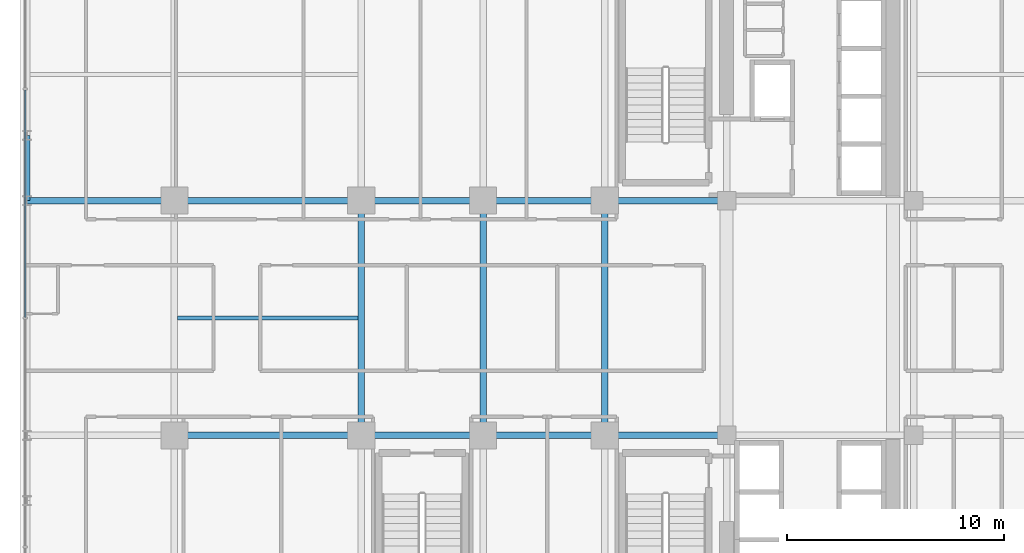
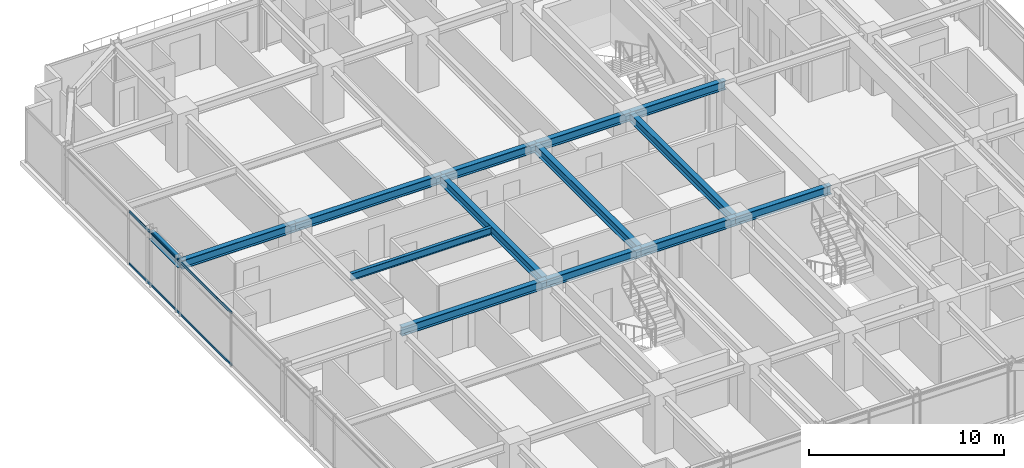
# One storey, part 9 of 34: 14 beams, 2 members, 1 element without a shape of its own.
"""IFC4 building model written with IfcOpenShell, lengths in metres."""

import ifcopenshell
import ifcopenshell.guid

model = None  # the IFC model being written
_history = None  # IfcOwnerHistory: only IFC2X3 demands one
_inside = {}  # id of a spatial element -> (the spatial element, [elements in it])
_under = {}  # id of a project, library or spatial element -> (it, [spatial elements below it])
_declared = {}  # id of a project -> (the project, [libraries it declares])
_typed = {}  # id of a type object -> (the type object, [elements of that type])
_made_of = {}  # id of a material, layer set ... -> (it, [elements and type objects made of it])


def new_model(schema):
    """Start an empty IFC model of exactly this schema.

    Asked for "IFC4X3", IfcOpenShell would pick the latest addendum, in which some entities
    have other attributes; the version numbers below select the first issue.
    IFC2X3 requires an IfcOwnerHistory on every rooted entity: one is made here for all.
    """
    global model, _history
    if schema == "IFC4X3":
        model = ifcopenshell.file(schema_version=(4, 3, 0, 0))
    else:
        model = ifcopenshell.file(schema=schema)
    _inside.clear()
    _under.clear()
    _declared.clear()
    _typed.clear()
    _made_of.clear()
    _history = None
    if model.schema == "IFC2X3":
        org = make("IfcOrganization", Name="unknown")
        user = make(
            "IfcPersonAndOrganization",
            ThePerson=make("IfcPerson", FamilyName="unknown"),
            TheOrganization=org,
        )
        app = make(
            "IfcApplication",
            ApplicationDeveloper=org,
            Version="unknown",
            ApplicationFullName="unknown",
            ApplicationIdentifier="unknown",
        )
        _history = make(
            "IfcOwnerHistory",
            OwningUser=user,
            OwningApplication=app,
            ChangeAction="ADDED",
            CreationDate=0,
        )
    return model


def make(cls, **values):
    """One entity of the class cls with the attributes given. An attribute that is None is left unset."""
    return model.create_entity(
        cls, **{name: value for name, value in values.items() if value is not None}
    )


def rooted(cls, **values):
    """An entity with a GlobalId (a new one), such as an element, a storey or a relation."""
    return make(cls, GlobalId=ifcopenshell.guid.new(), OwnerHistory=_history, **values)


def si_unit(unit_type, name, prefix=None):
    """IfcSIUnit, for example si_unit("LENGTHUNIT", "METRE", prefix="MILLI")."""
    return make("IfcSIUnit", UnitType=unit_type, Prefix=prefix, Name=name)


def assignment(units):
    """IfcUnitAssignment: the units of a project."""
    return None if units is None else make("IfcUnitAssignment", Units=units)


def point(xyz):
    """IfcCartesianPoint."""
    return None if xyz is None else make("IfcCartesianPoint", Coordinates=xyz)


def direction(xyz):
    """IfcDirection."""
    return None if xyz is None else make("IfcDirection", DirectionRatios=xyz)


def frame(location, z_axis=None, x_axis=None):
    """IfcAxis2Placement3D, a coordinate frame: its origin and axes. An axis left out is left unset."""
    return make(
        "IfcAxis2Placement3D",
        Location=point(location),
        Axis=direction(z_axis),
        RefDirection=direction(x_axis),
    )


def frame_2d(location, x_axis=None):
    """IfcAxis2Placement2D, a coordinate frame in the plane: its origin and x axis."""
    return make(
        "IfcAxis2Placement2D", Location=point(location), RefDirection=direction(x_axis)
    )


def origin():
    """The frame at (0, 0, 0) with its axes left unset."""
    return frame((0.0, 0.0, 0.0))


def origin_2d():
    """The frame at (0, 0) in the plane with its x axis left unset."""
    return frame_2d((0.0, 0.0))


def place(relative_to, where):
    """IfcLocalPlacement: puts the frame where relative to a parent placement (None: the world)."""
    return make(
        "IfcLocalPlacement", PlacementRelTo=relative_to, RelativePlacement=where
    )


def context(
    kind, dimensions, precision=None, world=None, true_north=None, identifier=None
):
    """IfcGeometricRepresentationContext, for example the 3D "Model" context."""
    return make(
        "IfcGeometricRepresentationContext",
        ContextIdentifier=identifier,
        ContextType=kind,
        CoordinateSpaceDimension=dimensions,
        Precision=precision,
        WorldCoordinateSystem=world,
        TrueNorth=true_north,
    )


def subcontext(parent, identifier, kind, view, scale=None):
    """IfcGeometricRepresentationSubContext, for example "Body" below "Model"."""
    return make(
        "IfcGeometricRepresentationSubContext",
        ContextIdentifier=identifier,
        ContextType=kind,
        ParentContext=parent,
        TargetScale=scale,
        TargetView=view,
    )


def project(units=None, contexts=None):
    """IfcProject with its units and contexts."""
    return rooted(
        "IfcProject",
        Name="project",
        RepresentationContexts=contexts,
        UnitsInContext=assignment(units),
    )


def spatial(cls, under=None, at=None, **own):
    """A site, building, storey or space (cls), placed at a placement, below another one or the project."""
    s = rooted(cls, ObjectPlacement=at, **own)
    if under is not None:
        _under.setdefault(under.id(), (under, []))[1].append(s)
    return s


def profile(cls, at=None, kind="AREA", **sizes):
    """A parametric profile (cls). Its sizes go by their IFC names, for example OverallWidth=200.0."""
    return make(cls, ProfileType=kind, Position=at, **sizes)


def hollow_rectangle(**sizes):
    """IfcRectangleHollowProfileDef."""
    return profile("IfcRectangleHollowProfileDef", **sizes)


def i_section(**sizes):
    """IfcIShapeProfileDef."""
    return profile("IfcIShapeProfileDef", **sizes)


def extrude(swept, where, along, depth):
    """IfcExtrudedAreaSolid: the profile swept, set in the frame where, extruded along a direction by depth."""
    return make(
        "IfcExtrudedAreaSolid",
        SweptArea=swept,
        Position=where,
        ExtrudedDirection=direction(along),
        Depth=depth,
    )


def shape(context_of_items, identifier, shape_type, items):
    """IfcShapeRepresentation: the items that make up one representation, for example the "Body"."""
    return make(
        "IfcShapeRepresentation",
        ContextOfItems=context_of_items,
        RepresentationIdentifier=identifier,
        RepresentationType=shape_type,
        Items=items,
    )


def source(mapping_origin, context_of_items, identifier, shape_type, items):
    """IfcRepresentationMap: a shape defined once, which mapped items show again and again."""
    return make(
        "IfcRepresentationMap",
        MappingOrigin=mapping_origin,
        MappedRepresentation=shape(context_of_items, identifier, shape_type, items),
    )


def transform(
    local_origin,
    x_axis=None,
    y_axis=None,
    z_axis=None,
    scale=None,
    scale2=None,
    scale3=None,
    uniform=True,
):
    """IfcCartesianTransformationOperator3D, or its non-uniform kind. x_axis, y_axis, z_axis: its Axis1, 2, 3."""
    if uniform:
        return make(
            "IfcCartesianTransformationOperator3D",
            Axis1=direction(x_axis),
            Axis2=direction(y_axis),
            LocalOrigin=point(local_origin),
            Scale=scale,
            Axis3=direction(z_axis),
        )
    return make(
        "IfcCartesianTransformationOperator3DnonUniform",
        Axis1=direction(x_axis),
        Axis2=direction(y_axis),
        LocalOrigin=point(local_origin),
        Scale=scale,
        Axis3=direction(z_axis),
        Scale2=scale2,
        Scale3=scale3,
    )


def mapped(mapping_source, mapping_target):
    """IfcMappedItem: shows the shape of a source again, moved by a transform."""
    return make(
        "IfcMappedItem", MappingSource=mapping_source, MappingTarget=mapping_target
    )


def material(Name=None, Category=None):
    """IfcMaterial."""
    return make("IfcMaterial", Name=Name, Category=Category)


def material_profile(
    of_material, cross_section, Name=None, Category=None, Priority=None
):
    """IfcMaterialProfile: a cross section and its material."""
    return make(
        "IfcMaterialProfile",
        Name=Name,
        Material=of_material,
        Profile=cross_section,
        Priority=Priority,
        Category=Category,
    )


def profile_set(profiles, Name=None, composite=None):
    """IfcMaterialProfileSet."""
    return make(
        "IfcMaterialProfileSet",
        Name=Name,
        MaterialProfiles=profiles,
        CompositeProfile=composite,
    )


def made_of(thing, what):
    """Note that an element or type object is made of a material, layer set ...; save() writes the relation."""
    if what is not None:
        _made_of.setdefault(what.id(), (what, []))[1].append(thing)
    return thing


def type_object(cls, material=None, **own):
    """A type object (cls), such as IfcWallType, which elements share."""
    return made_of(rooted(cls, **own), material)


def element(
    cls,
    number,
    at=None,
    inside=None,
    cuts=None,
    type_object=None,
    material=None,
    context=None,
    identifier="Body",
    shape_type=None,
    held_by="IfcProductDefinitionShape",
    body=None,
    shapes=None,
    **own,
):
    """One element of the class cls, such as IfcWall. Its Tag is "e" and its number.

    at: its placement. inside: the storey or other place that contains it. cuts: it is an
    opening in that element (IfcRelVoidsElement). A single representation is given by context,
    identifier, shape_type and body (its items); several are given by shapes. held_by: the class
    of the entity that holds the representations. save() writes the other relations.
    """
    e = rooted(cls, Tag="e%d" % number, ObjectPlacement=at, **own)
    if body is not None:
        shapes = [shape(context, identifier, shape_type, body)]
    if shapes is not None:
        e.Representation = make(held_by, Representations=shapes)
    if inside is not None:
        _inside.setdefault(inside.id(), (inside, []))[1].append(e)
    if cuts is not None:
        rooted(
            "IfcRelVoidsElement", RelatingBuildingElement=cuts, RelatedOpeningElement=e
        )
    if type_object is not None:
        _typed.setdefault(type_object.id(), (type_object, []))[1].append(e)
    return made_of(e, material)


def aggregate(whole, parts):
    """IfcRelAggregates: a whole, such as a stair, and the parts it consists of."""
    return rooted("IfcRelAggregates", RelatingObject=whole, RelatedObjects=parts)


def save(model, path):
    """Write the relations noted so far, then the file.

    IfcRelAggregates (storeys below a building ...), IfcRelContainedInSpatialStructure (elements
    in a storey), IfcRelDefinesByType, IfcRelAssociatesMaterial and IfcRelDeclares: one each for
    every whole, place, type object, material and project.
    """
    for whole, parts in _under.values():
        aggregate(whole, parts)
    for where, things in _inside.values():
        rooted(
            "IfcRelContainedInSpatialStructure",
            RelatedElements=things,
            RelatingStructure=where,
        )
    for kind, things in _typed.values():
        rooted("IfcRelDefinesByType", RelatedObjects=things, RelatingType=kind)
    for what, things in _made_of.values():
        rooted("IfcRelAssociatesMaterial", RelatedObjects=things, RelatingMaterial=what)
    for by, libraries in _declared.values():
        rooted("IfcRelDeclares", RelatingContext=by, RelatedDefinitions=libraries)
    model.write(path)


model = new_model("IFC4")

# Units and contexts
model_context = context("Model", 3, precision=1e-05, world=origin(), true_north=direction((0.0, 1.0)))
body_context = subcontext(model_context, "Body", "Model", "MODEL_VIEW")
ifc_project = project(units=[si_unit("LENGTHUNIT", "METRE"), si_unit("AREAUNIT", "SQUARE_METRE"), si_unit("VOLUMEUNIT", "CUBIC_METRE"), si_unit("PLANEANGLEUNIT", "RADIAN"), si_unit("MASSUNIT", "GRAM", prefix="KILO")], contexts=[model_context])

# Site, building, storey
site_placement = place(None, origin())
site = spatial("IfcSite", under=ifc_project, at=site_placement, CompositionType="ELEMENT")
building_placement = place(site_placement, origin())
building = spatial("IfcBuilding", under=site, at=building_placement, Name="Nahalor Promenade Grand Hotel", CompositionType="ELEMENT")
storey_placement = place(building_placement, frame((0.0, 0.0, 99.25)))
storey = spatial("IfcBuildingStorey", under=building, at=storey_placement, Name="L24", CompositionType="ELEMENT", Elevation=99.25)

# Beams
ifc_material_1 = material(Name="Steel S355JR", Category="steel")
ifc_material_profile_1 = material_profile(ifc_material_1, i_section(OverallWidth=0.3, OverallDepth=0.5, WebThickness=0.0145, FlangeThickness=0.028, at=origin_2d()), Name="HEB 500")
ifc_profile_set_1 = profile_set([ifc_material_profile_1], Name="Steel S355JR")
beam_type_1 = type_object("IfcBeamType", Name="Beam-Spandrel-HEB500", PredefinedType="SPANDREL", material=ifc_profile_set_1)
shared_shape_1 = source(origin(), body_context, "Body", "SweptSolid", [
    extrude(i_section(OverallWidth=0.3, OverallDepth=0.5, WebThickness=0.0145, FlangeThickness=0.028, at=origin_2d()), origin(), (0.0, 0.0, 1.0), 3.0),
])
beam_1_placement = place(storey_placement, frame((-23.780029296875, 5.39990234375, 3.1298828125), z_axis=(0.0, 1.0, 0.0), x_axis=(-1.0, 0.0, 0.0)))
element("IfcBeam", 1, at=beam_1_placement, inside=storey, type_object=beam_type_1, Name="BM-L24-SP-W-3", PredefinedType="SPANDREL", context=body_context, shape_type="MappedRepresentation", body=[
    mapped(shared_shape_1, transform((0.0, 0.0, 0.0), scale=1.0)),
])
ifc_material_profile_2 = material_profile(ifc_material_1, i_section(OverallWidth=0.3, OverallDepth=0.55, WebThickness=0.015, FlangeThickness=0.029, at=origin_2d()), Name="HEB 550")
ifc_profile_set_2 = profile_set([ifc_material_profile_2], Name="Steel S355JR")
beam_type_2 = type_object("IfcBeamType", Name="Beam-Girder-HEB550", PredefinedType="BEAM", material=ifc_profile_set_2)
shared_shape_2 = source(origin(), body_context, "Body", "SweptSolid", [
    extrude(i_section(OverallWidth=0.3, OverallDepth=0.55, WebThickness=0.015, FlangeThickness=0.029, at=origin_2d()), origin(), (0.0, 0.0, 1.0), 6.780029296875),
])
beam_2_placement = place(storey_placement, frame((-23.780029296875, 5.39990234375, 3.10498046875), z_axis=(1.0, 0.0, 0.0), x_axis=(0.0, 1.0, 0.0)))
element("IfcBeam", 2, at=beam_2_placement, inside=storey, type_object=beam_type_2, Name="BM-L24-GX-2-0", PredefinedType="BEAM", context=body_context, shape_type="MappedRepresentation", body=[
    mapped(shared_shape_2, transform((0.0, 0.0, 0.0), scale=1.0)),
])
shared_shape_3 = source(origin(), body_context, "Body", "SweptSolid", [
    extrude(i_section(OverallWidth=0.3, OverallDepth=0.55, WebThickness=0.015, FlangeThickness=0.029, at=origin_2d()), origin(), (0.0, 0.0, 1.0), 8.60009765625),
])
for number, where, z_axis, x_axis, name in (
    (3, (-17.0, -5.39990234375, 3.10498046875), (1.0, 0.0, 0.0), (0.0, 1.0, 0.0), "BM-L24-GX-1-1"),
    (4, (-17.0, 5.39990234375, 3.10498046875), (1.0, 0.0, 0.0), (0.0, 1.0, 0.0), "BM-L24-GX-2-1"),
):
    element("IfcBeam", number, at=place(storey_placement, frame(where, z_axis=z_axis, x_axis=x_axis)), inside=storey, type_object=beam_type_2, Name=name, PredefinedType="BEAM", context=body_context, shape_type="MappedRepresentation", body=[
        mapped(shared_shape_3, transform((0.0, 0.0, 0.0), scale=1.0)),
    ])
shared_shape_4 = source(origin(), body_context, "Body", "SweptSolid", [
    extrude(i_section(OverallWidth=0.3, OverallDepth=0.55, WebThickness=0.015, FlangeThickness=0.029, at=origin_2d()), origin(), (0.0, 0.0, 1.0), 5.599853515625),
])
for number, where, z_axis, x_axis, name in (
    (5, (-8.39990234375, -5.39990234375, 3.10498046875), (1.0, 0.0, 0.0), (0.0, 1.0, 0.0), "BM-L24-GX-1-2"),
    (6, (2.800048828125, -5.39990234375, 3.10498046875), (1.0, 0.0, 0.0), (0.0, 1.0, 0.0), "BM-L24-GX-1-4"),
    (7, (-8.39990234375, 5.39990234375, 3.10498046875), (1.0, 0.0, 0.0), (0.0, 1.0, 0.0), "BM-L24-GX-2-2"),
    (8, (2.800048828125, 5.39990234375, 3.10498046875), (1.0, 0.0, 0.0), (0.0, 1.0, 0.0), "BM-L24-GX-2-4"),
):
    element("IfcBeam", number, at=place(storey_placement, frame(where, z_axis=z_axis, x_axis=x_axis)), inside=storey, type_object=beam_type_2, Name=name, PredefinedType="BEAM", context=body_context, shape_type="MappedRepresentation", body=[
        mapped(shared_shape_4, transform((0.0, 0.0, 0.0), scale=1.0)),
    ])
shared_shape_5 = source(origin(), body_context, "Body", "SweptSolid", [
    extrude(i_section(OverallWidth=0.3, OverallDepth=0.55, WebThickness=0.015, FlangeThickness=0.029, at=origin_2d()), origin(), (0.0, 0.0, 1.0), 5.60009765625),
])
for number, where, z_axis, x_axis, name in (
    (9, (-2.800048828125, -5.39990234375, 3.10498046875), (1.0, 0.0, 0.0), (0.0, 1.0, 0.0), "BM-L24-GX-1-3"),
    (10, (-2.800048828125, 5.39990234375, 3.10498046875), (1.0, 0.0, 0.0), (0.0, 1.0, 0.0), "BM-L24-GX-2-3"),
):
    element("IfcBeam", number, at=place(storey_placement, frame(where, z_axis=z_axis, x_axis=x_axis)), inside=storey, type_object=beam_type_2, Name=name, PredefinedType="BEAM", context=body_context, shape_type="MappedRepresentation", body=[
        mapped(shared_shape_5, transform((0.0, 0.0, 0.0), scale=1.0)),
    ])
shared_shape_6 = source(origin(), body_context, "Body", "SweptSolid", [
    extrude(i_section(OverallWidth=0.3, OverallDepth=0.55, WebThickness=0.015, FlangeThickness=0.029, at=origin_2d()), origin(), (0.0, 0.0, 1.0), 10.7998046875),
])
for number, where, z_axis, x_axis, name in (
    (11, (-8.39990234375, -5.39990234375, 3.10498046875), (0.0, 1.0, 0.0), (-1.0, 0.0, 0.0), "BM-L24-GY-1-2"),
    (12, (-2.800048828125, -5.39990234375, 3.10498046875), (0.0, 1.0, 0.0), (-1.0, 0.0, 0.0), "BM-L24-GY-2-2"),
    (13, (2.800048828125, -5.39990234375, 3.10498046875), (0.0, 1.0, 0.0), (-1.0, 0.0, 0.0), "BM-L24-GY-3-2"),
):
    element("IfcBeam", number, at=place(storey_placement, frame(where, z_axis=z_axis, x_axis=x_axis)), inside=storey, type_object=beam_type_2, Name=name, PredefinedType="BEAM", context=body_context, shape_type="MappedRepresentation", body=[
        mapped(shared_shape_6, transform((0.0, 0.0, 0.0), scale=1.0)),
    ])
ifc_material_profile_3 = material_profile(ifc_material_1, i_section(OverallWidth=0.19, OverallDepth=0.45, WebThickness=0.0094, FlangeThickness=0.0146, at=origin_2d()), Name="IPE 450")
ifc_profile_set_3 = profile_set([ifc_material_profile_3], Name="Steel S355JR")
beam_type_3 = type_object("IfcBeamType", Name="Beam-Joist-IPE450", PredefinedType="JOIST", material=ifc_profile_set_3)
shared_shape_7 = source(origin(), body_context, "Body", "SweptSolid", [
    extrude(i_section(OverallWidth=0.19, OverallDepth=0.45, WebThickness=0.0094, FlangeThickness=0.0146, at=origin_2d()), origin(), (0.0, 0.0, 1.0), 8.300048828125),
])
beam_3_placement = place(storey_placement, frame((-16.85009765625, 0.0, 3.155029296875), z_axis=(1.0, 0.0, 0.0), x_axis=(0.0, 1.0, 0.0)))
element("IfcBeam", 14, at=beam_3_placement, inside=storey, type_object=beam_type_3, Name="BM-L24-JSC-0", PredefinedType="JOIST", context=body_context, shape_type="MappedRepresentation", body=[
    mapped(shared_shape_7, transform((0.0, 0.0, 0.0), scale=1.0)),
])

# Curtain wall, members
ifc_material_2 = material(Name="Anodised Bronze Aluminium EN AW-6063 T6", Category="aluminium")
curtain_wall_type = type_object("IfcCurtainWallType", Name="CW2 Typical Hotel Flush Bronze Unitised Curtain Wall", PredefinedType="USERDEFINED", material=ifc_material_2)
curtain_wall_placement = place(storey_placement, origin())
curtain_wall = element("IfcCurtainWall", 15, at=curtain_wall_placement, inside=storey, type_object=curtain_wall_type, Name="L24 Curtain Wall CW-L24-W-1", ObjectType="UNITISED_CURTAIN_WALL", PredefinedType="USERDEFINED")
ifc_material_profile_4 = material_profile(ifc_material_2, hollow_rectangle(XDim=0.065, YDim=0.13, WallThickness=0.004, at=origin_2d()), Name="CWT 65x130x4")
ifc_profile_set_4 = profile_set([ifc_material_profile_4], Name="Anodised Bronze Aluminium EN AW-6063 T6")
member_type = type_object("IfcMemberType", Name="CWT2 Typical Bronze Transom 65x130", PredefinedType="USERDEFINED", material=ifc_profile_set_4)
shared_shape_8 = source(origin(), body_context, "Body", "SweptSolid", [
    extrude(hollow_rectangle(XDim=0.065, YDim=0.13, WallThickness=0.004, at=origin_2d()), origin(), (0.0, 0.0, 1.0), 10.465087890625),
])
member_1_placement = place(storey_placement, frame((-23.860107421875, 0.032470703125, 0.06494140625), z_axis=(0.0, 1.0, 0.0), x_axis=(-1.0, 0.0, 0.0)))
member_1 = element("IfcMember", 16, at=member_1_placement, type_object=member_type, Name="CW-L24-W-1 Transom 2-0", ObjectType="TRANSOM", PredefinedType="USERDEFINED", context=body_context, shape_type="MappedRepresentation", body=[
    mapped(shared_shape_8, transform((0.0, 0.0, 0.0), scale=1.0)),
])
member_2_placement = place(storey_placement, frame((-23.860107421875, 0.032470703125, 3.31494140625), z_axis=(0.0, 1.0, 0.0), x_axis=(-1.0, 0.0, 0.0)))
member_2 = element("IfcMember", 17, at=member_2_placement, type_object=member_type, Name="CW-L24-W-1 Transom 2-1", ObjectType="TRANSOM", PredefinedType="USERDEFINED", context=body_context, shape_type="MappedRepresentation", body=[
    mapped(shared_shape_8, transform((0.0, 0.0, 0.0), scale=1.0)),
])
aggregate(curtain_wall, [member_1, member_2])

save(model, "model.ifc")
